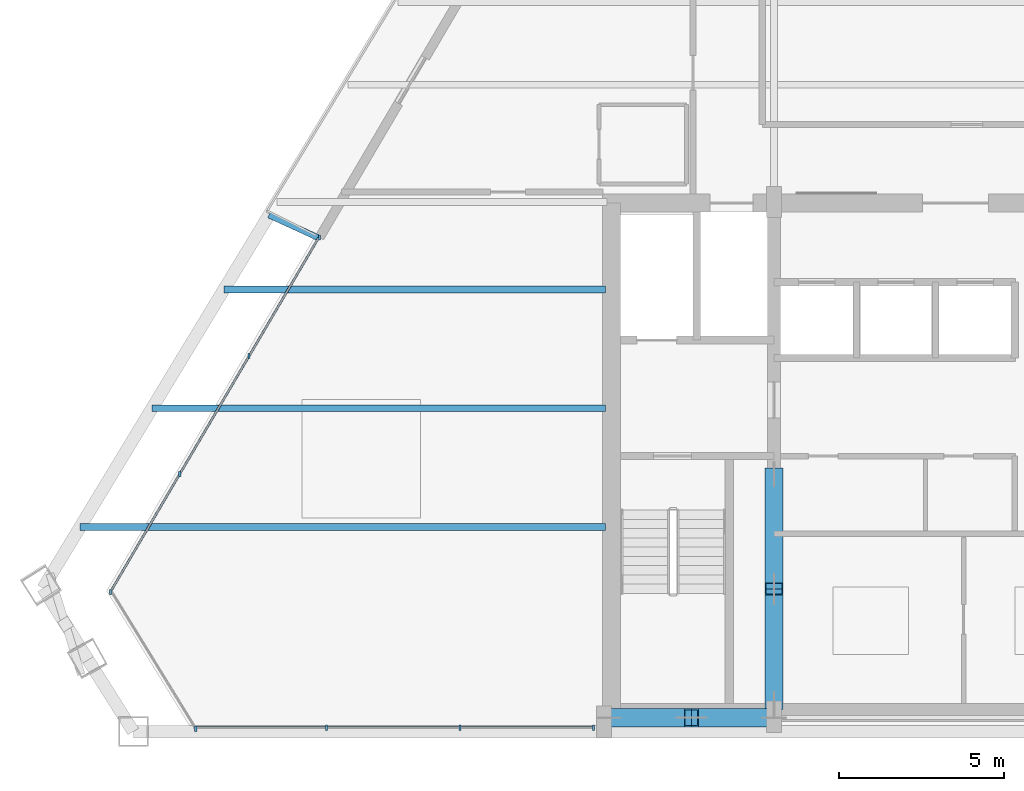
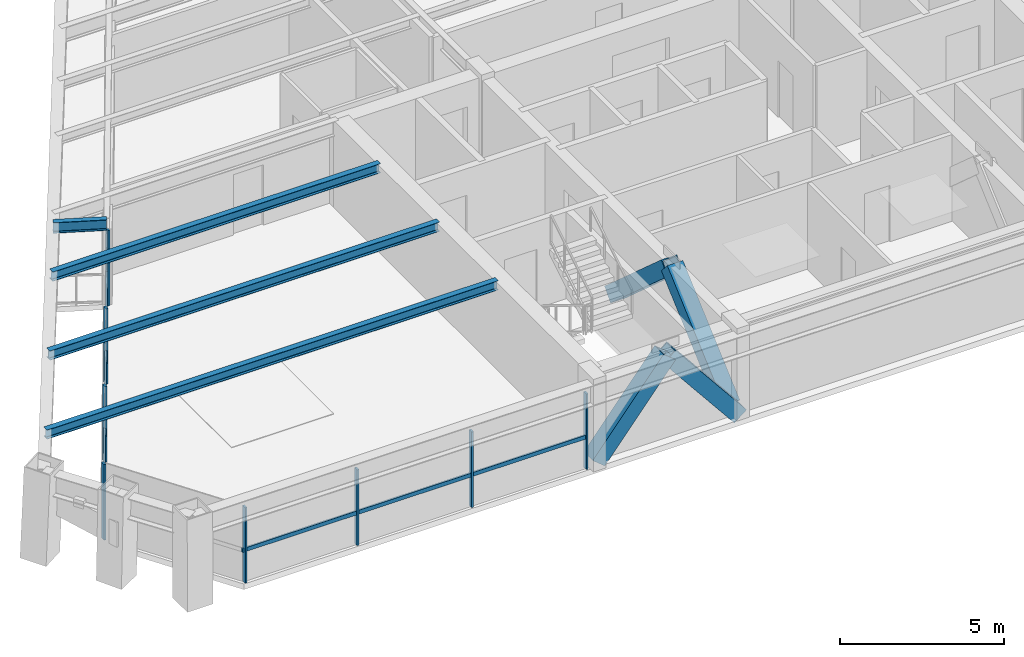
# One storey, part 2 of 13: 18 members, 4 beams, 3 elements without a shape of their own.
"""IFC4 building model written with IfcOpenShell, lengths in metres."""

from ifc_helpers import new_model, si_unit, direction, frame, origin, origin_2d, place, context, subcontext, project, spatial, rectangle, hollow_rectangle, i_section, extrude, source, transform, mapped, material, material_profile, profile_set, type_object, type_shapes, element, aggregate, save


model = new_model("IFC4")

# Units and contexts
model_context = context("Model", 3, precision=1e-05, world=origin(), true_north=direction((0.0, 1.0)))
body_context = subcontext(model_context, "Body", "Model", "MODEL_VIEW")
ifc_project = project(units=[si_unit("LENGTHUNIT", "METRE"), si_unit("AREAUNIT", "SQUARE_METRE"), si_unit("VOLUMEUNIT", "CUBIC_METRE"), si_unit("PLANEANGLEUNIT", "RADIAN"), si_unit("MASSUNIT", "GRAM", prefix="KILO")], contexts=[model_context])

# Site, building, storey
site_placement = place(None, origin())
site = spatial("IfcSite", under=ifc_project, at=site_placement, CompositionType="ELEMENT")
building_placement = place(site_placement, origin())
building = spatial("IfcBuilding", under=site, at=building_placement, Name="Varnakhor Terracotta Tower", CompositionType="ELEMENT")
storey_placement = place(building_placement, frame((0.0, 0.0, 244.14990234375)))
storey = spatial("IfcBuildingStorey", under=building, at=storey_placement, Name="L63", CompositionType="ELEMENT", Elevation=244.14990234375)

# Members
ifc_material_1 = material(Name="Steel S355", Category="steel")
ifc_material_profile_1 = material_profile(ifc_material_1, hollow_rectangle(XDim=0.550048828125, YDim=0.550048828125, WallThickness=0.034912109375, at=origin_2d()), Name="HSS550X550X35")
ifc_profile_set_1 = profile_set([ifc_material_profile_1], Name="Steel S355")
member_type_1 = type_object("IfcMemberType", Name="MBR-MEGA-550", PredefinedType="BRACE", material=ifc_profile_set_1)
shared_shape_1 = source(origin(), body_context, "Body", "SweptSolid", [
    extrude(hollow_rectangle(XDim=0.550048828125, YDim=0.550048828125, WallThickness=0.034912109375, at=origin_2d()), origin(), (0.0, 0.0, 1.0), 3.974853515625),
])
for number, where, z_axis, x_axis, name in (
    (1, (-10.5, 0.419921875, 0.0), (0.628970263838, 0.0, 0.777429358339), (0.0, 1.0, 0.0), "L63 Core Coupled Brace CSWA"),
    (2, (-5.5, 0.419921875, 0.0), (-0.628970263838, 0.0, 0.777429358339), (0.0, -1.0, 0.0), "L63 Core Coupled Brace CSWB"),
):
    element("IfcMember", number, at=place(storey_placement, frame(where, z_axis=z_axis, x_axis=x_axis)), inside=storey, type_object=member_type_1, Name=name, PredefinedType="BRACE", context=body_context, shape_type="MappedRepresentation", body=[
        mapped(shared_shape_1, transform((0.0, 0.0, 0.0), scale=1.0)),
    ])
shared_shape_2 = source(origin(), body_context, "Body", "SweptSolid", [
    extrude(hollow_rectangle(XDim=0.550048828125, YDim=0.550048828125, WallThickness=0.034912109375, at=origin_2d()), origin(), (0.0, 0.0, 1.0), 4.650146484375),
])
for number, where, z_axis, x_axis, name in (
    (3, (-5.5, 0.85009765625, 0.0), (0.0, 0.74726736397, 0.664523503532), (-1.0, 0.0, 0.0), "L63 Core Coupled Brace CWWA"),
    (4, (-5.5, 7.800048828125, 0.0), (0.0, -0.74729054724, 0.664497432655), (1.0, 0.0, 0.0), "L63 Core Coupled Brace CWWB"),
):
    element("IfcMember", number, at=place(storey_placement, frame(where, z_axis=z_axis, x_axis=x_axis)), inside=storey, type_object=member_type_1, Name=name, PredefinedType="BRACE", context=body_context, shape_type="MappedRepresentation", body=[
        mapped(shared_shape_2, transform((0.0, 0.0, 0.0), scale=1.0)),
    ])

# Beams
ifc_material_profile_2 = material_profile(ifc_material_1, i_section(OverallWidth=0.202880859375, OverallDepth=0.346923828125, WebThickness=0.0078125, FlangeThickness=0.013427734375, FilletRadius=0.01806640625, at=origin_2d()), Name="W14X43")
ifc_profile_set_2 = profile_set([ifc_material_profile_2], Name="Steel S355")
beam_type_1 = type_object("IfcBeamType", Name="JST-W14X43", PredefinedType="JOIST", material=ifc_profile_set_2)
shared_shape_3 = source(origin(), body_context, "Body", "SweptSolid", [
    extrude(i_section(OverallWidth=0.202880859375, OverallDepth=0.346923828125, WebThickness=0.0078125, FlangeThickness=0.013427734375, FilletRadius=0.01806640625, at=origin_2d()), origin(), (0.0, 0.0, 1.0), 15.9267578125),
])
beam_1_placement = place(storey_placement, frame((-26.52685546875, 6.199951171875, 3.066650390625), z_axis=(1.0, 0.0, 0.0), x_axis=(0.0, 1.0, 0.0)))
element("IfcBeam", 5, at=beam_1_placement, inside=storey, type_object=beam_type_1, Name="L63 Floor Joist W1", PredefinedType="JOIST", context=body_context, shape_type="MappedRepresentation", body=[
    mapped(shared_shape_3, transform((0.0, 0.0, 0.0), scale=1.0)),
])
shared_shape_4 = source(origin(), body_context, "Body", "SweptSolid", [
    extrude(i_section(OverallWidth=0.202880859375, OverallDepth=0.346923828125, WebThickness=0.0078125, FlangeThickness=0.013427734375, FilletRadius=0.01806640625, at=origin_2d()), origin(), (0.0, 0.0, 1.0), 13.74658203125),
])
beam_2_placement = place(storey_placement, frame((-24.3466796875, 9.800048828125, 3.066650390625), z_axis=(1.0, 0.0, 0.0), x_axis=(0.0, 1.0, 0.0)))
element("IfcBeam", 6, at=beam_2_placement, inside=storey, type_object=beam_type_1, Name="L63 Floor Joist W2", PredefinedType="JOIST", context=body_context, shape_type="MappedRepresentation", body=[
    mapped(shared_shape_4, transform((0.0, 0.0, 0.0), scale=1.0)),
])
shared_shape_5 = source(origin(), body_context, "Body", "SweptSolid", [
    extrude(i_section(OverallWidth=0.202880859375, OverallDepth=0.346923828125, WebThickness=0.0078125, FlangeThickness=0.013427734375, FilletRadius=0.01806640625, at=origin_2d()), origin(), (0.0, 0.0, 1.0), 11.56640625),
])
beam_3_placement = place(storey_placement, frame((-22.16650390625, 13.39990234375, 3.066650390625), z_axis=(1.0, 0.0, 0.0), x_axis=(0.0, 1.0, 0.0)))
element("IfcBeam", 7, at=beam_3_placement, inside=storey, type_object=beam_type_1, Name="L63 Floor Joist W3", PredefinedType="JOIST", context=body_context, shape_type="MappedRepresentation", body=[
    mapped(shared_shape_5, transform((0.0, 0.0, 0.0), scale=1.0)),
])

# Curtain wall, members
ifc_material_2 = material(Name="Anodised Aluminium Curtain Wall System", Category="aluminium")
curtain_wall_type = type_object("IfcCurtainWallType", Name="CW-SYS-HOTEL-LOGGIA", PredefinedType="NOTDEFINED", material=ifc_material_2)
curtain_wall_1_placement = place(storey_placement, origin())
curtain_wall_1 = element("IfcCurtainWall", 8, at=curtain_wall_1_placement, inside=storey, type_object=curtain_wall_type, Name="L63 W Facet Curtain Wall 1", PredefinedType="NOTDEFINED")
ifc_material_3 = material(Name="Anodised Aluminium 6063-T6", Category="aluminium")
ifc_material_profile_3 = material_profile(ifc_material_3, rectangle(XDim=0.06494140625, YDim=0.159912109375, at=origin_2d()), Name="ALU MULLION 65x160")
ifc_profile_set_3 = profile_set([ifc_material_profile_3], Name="Anodised Aluminium 6063-T6")
member_type_2 = type_object("IfcMemberType", Name="CWM-04", PredefinedType="MULLION", material=ifc_profile_set_3)
shared_shape_6 = source(origin(), body_context, "Body", "SweptSolid", [
    extrude(rectangle(XDim=0.06494140625, YDim=0.159912109375, at=origin_2d()), origin(), (0.0, 0.0, 1.0), 2.820068359375),
])
type_shapes(member_type_2, [shared_shape_6])
member_1_placement = place(storey_placement, frame((-25.60791015625, 4.229736328125, 0.0), z_axis=(0.0, 0.0, 1.0), x_axis=(1.0, 0.0, 0.0)))
member_1 = element("IfcMember", 9, at=member_1_placement, type_object=member_type_2, Name="L63 W Facet Curtain Wall 1 Mullion 1", PredefinedType="MULLION", context=body_context, shape_type="MappedRepresentation", body=[
    mapped(shared_shape_6, transform((0.0, 0.0, 0.0), scale=1.0)),
])
member_2_placement = place(storey_placement, frame((-23.50537109375, 7.806396484375, 0.0), z_axis=(0.0, 0.0, 1.0), x_axis=(1.0, 0.0, 0.0)))
member_2 = element("IfcMember", 10, at=member_2_placement, type_object=member_type_2, Name="L63 W Facet Curtain Wall 1 Mullion 2", PredefinedType="MULLION", context=body_context, shape_type="MappedRepresentation", body=[
    mapped(shared_shape_6, transform((0.0, 0.0, 0.0), scale=1.0)),
])
member_3_placement = place(storey_placement, frame((-21.40283203125, 11.383056640625, 0.0), z_axis=(0.0, 0.0, 1.0), x_axis=(1.0, 0.0, 0.0)))
member_3 = element("IfcMember", 11, at=member_3_placement, type_object=member_type_2, Name="L63 W Facet Curtain Wall 1 Mullion 3", PredefinedType="MULLION", context=body_context, shape_type="MappedRepresentation", body=[
    mapped(shared_shape_6, transform((0.0, 0.0, 0.0), scale=1.0)),
])
member_4_placement = place(storey_placement, frame((-19.267822265625, 14.9755859375, 0.0), z_axis=(0.0, 0.0, 1.0), x_axis=(1.0, 0.0, 0.0)))
member_4 = element("IfcMember", 12, at=member_4_placement, type_object=member_type_2, Name="L63 W Loggia Jamb Closure Mullion 1", PredefinedType="MULLION", context=body_context, shape_type="MappedRepresentation", body=[
    mapped(shared_shape_6, transform((0.0, 0.0, 0.0), scale=1.0)),
])

curtain_wall_2_placement = place(storey_placement, origin())
curtain_wall_2 = element("IfcCurtainWall", 13, at=curtain_wall_2_placement, inside=storey, type_object=curtain_wall_type, Name="L63 South Wing Curtain Wall SSW", PredefinedType="NOTDEFINED")
member_5_placement = place(storey_placement, frame((-10.969970703125, 0.1201171875, 0.0), z_axis=(0.0, 0.0, 1.0), x_axis=(1.0, 0.0, 0.0)))
member_5 = element("IfcMember", 14, at=member_5_placement, type_object=member_type_2, Name="L63 South Wing Curtain Wall SSW Mullion 1", PredefinedType="MULLION", context=body_context, shape_type="MappedRepresentation", body=[
    mapped(shared_shape_6, transform((0.0, 0.0, 0.0), scale=1.0)),
])
member_6_placement = place(storey_placement, frame((-15.011962890625, 0.1201171875, 0.0), z_axis=(0.0, 0.0, 1.0), x_axis=(1.0, 0.0, 0.0)))
member_6 = element("IfcMember", 15, at=member_6_placement, type_object=member_type_2, Name="L63 South Wing Curtain Wall SSW Mullion 2", PredefinedType="MULLION", context=body_context, shape_type="MappedRepresentation", body=[
    mapped(shared_shape_6, transform((0.0, 0.0, 0.0), scale=1.0)),
])
member_7_placement = place(storey_placement, frame((-19.053955078125, 0.1201171875, 0.0), z_axis=(0.0, 0.0, 1.0), x_axis=(1.0, 0.0, 0.0)))
member_7 = element("IfcMember", 16, at=member_7_placement, type_object=member_type_2, Name="L63 South Wing Curtain Wall SSW Mullion 3", PredefinedType="MULLION", context=body_context, shape_type="MappedRepresentation", body=[
    mapped(shared_shape_6, transform((0.0, 0.0, 0.0), scale=1.0)),
])

# Curtain wall, member
curtain_wall_3_placement = place(storey_placement, origin())
curtain_wall_3 = element("IfcCurtainWall", 17, at=curtain_wall_3_placement, inside=storey, type_object=curtain_wall_type, Name="L63 Facet Curtain Wall 6", PredefinedType="NOTDEFINED")
member_8_placement = place(storey_placement, frame((-23.019287109375, 0.08837890625, 0.0), z_axis=(0.0, 0.0, 1.0), x_axis=(1.0, 0.0, 0.0)))
member_8 = element("IfcMember", 18, at=member_8_placement, type_object=member_type_2, Name="L63 Facet Curtain Wall 6 Mullion 1", PredefinedType="MULLION", context=body_context, shape_type="MappedRepresentation", body=[
    mapped(shared_shape_6, transform((0.0, 0.0, 0.0), scale=1.0)),
])
aggregate(curtain_wall_3, [member_8])

# Member
ifc_material_profile_4 = material_profile(ifc_material_3, rectangle(XDim=0.06494140625, YDim=0.14501953125, at=origin_2d()), Name="ALU TRANSOM 65x145")
ifc_profile_set_4 = profile_set([ifc_material_profile_4], Name="Anodised Aluminium 6063-T6")
member_type_3 = type_object("IfcMemberType", Name="CWT-04", PredefinedType="USERDEFINED", material=ifc_profile_set_4)
shared_shape_7 = source(origin(), body_context, "Body", "SweptSolid", [
    extrude(rectangle(XDim=0.06494140625, YDim=0.14501953125, at=origin_2d()), origin(), (0.0, 0.0, 1.0), 4.0419921875),
])
member_9_placement = place(storey_placement, frame((-10.969970703125, 0.1201171875, 1.1845703125), z_axis=(-1.0, 0.0, 0.0), x_axis=(0.0, -1.0, 0.0)))
member_9 = element("IfcMember", 19, at=member_9_placement, type_object=member_type_3, Name="L63 South Wing Curtain Wall SSW Transom 1", ObjectType="TRANSOM", PredefinedType="USERDEFINED", context=body_context, shape_type="MappedRepresentation", body=[
    mapped(shared_shape_7, transform((0.0, 0.0, 0.0), scale=1.0)),
])

member_10_placement = place(storey_placement, frame((-15.011962890625, 0.1201171875, 1.1845703125), z_axis=(-1.0, 0.0, 0.0), x_axis=(0.0, -1.0, 0.0)))
member_10 = element("IfcMember", 20, at=member_10_placement, type_object=member_type_3, Name="L63 South Wing Curtain Wall SSW Transom 2", ObjectType="TRANSOM", PredefinedType="USERDEFINED", context=body_context, shape_type="MappedRepresentation", body=[
    mapped(shared_shape_7, transform((0.0, 0.0, 0.0), scale=1.0)),
])

shared_shape_8 = source(origin(), body_context, "Body", "SweptSolid", [
    extrude(rectangle(XDim=0.06494140625, YDim=0.14501953125, at=origin_2d()), origin(), (0.0, 0.0, 1.0), 4.041748046875),
])
member_11_placement = place(storey_placement, frame((-19.053955078125, 0.1201171875, 1.1845703125), z_axis=(-1.0, 0.0, 0.0), x_axis=(0.0, -1.0, 0.0)))
member_11 = element("IfcMember", 21, at=member_11_placement, type_object=member_type_3, Name="L63 South Wing Curtain Wall SSW Transom 3", ObjectType="TRANSOM", PredefinedType="USERDEFINED", context=body_context, shape_type="MappedRepresentation", body=[
    mapped(shared_shape_8, transform((0.0, 0.0, 0.0), scale=1.0)),
])

aggregate(curtain_wall_2, [member_5, member_9, member_6, member_10, member_7, member_11])

shared_shape_9 = source(origin(), body_context, "Body", "SweptSolid", [
    extrude(rectangle(XDim=0.06494140625, YDim=0.14501953125, at=origin_2d()), origin(), (0.0, 0.0, 1.0), 4.14892578125),
])
member_12_placement = place(storey_placement, frame((-25.60791015625, 4.229736328125, 1.1845703125), z_axis=(0.506773229013, 0.862079401422, 0.0), x_axis=(-0.862079401422, 0.506773229013, 0.0)))
member_12 = element("IfcMember", 22, at=member_12_placement, type_object=member_type_3, Name="L63 W Facet Curtain Wall 1 Transom 1", ObjectType="TRANSOM", PredefinedType="USERDEFINED", context=body_context, shape_type="MappedRepresentation", body=[
    mapped(shared_shape_9, transform((0.0, 0.0, 0.0), scale=1.0)),
])

member_13_placement = place(storey_placement, frame((-23.50537109375, 7.806396484375, 1.1845703125), z_axis=(0.506773229013, 0.862079401422, 0.0), x_axis=(-0.862079401422, 0.506773229013, 0.0)))
member_13 = element("IfcMember", 23, at=member_13_placement, type_object=member_type_3, Name="L63 W Facet Curtain Wall 1 Transom 2", ObjectType="TRANSOM", PredefinedType="USERDEFINED", context=body_context, shape_type="MappedRepresentation", body=[
    mapped(shared_shape_9, transform((0.0, 0.0, 0.0), scale=1.0)),
])

member_14_placement = place(storey_placement, frame((-21.40283203125, 11.383056640625, 1.1845703125), z_axis=(0.506773229013, 0.862079401422, 0.0), x_axis=(-0.862079401422, 0.506773229013, 0.0)))
member_14 = element("IfcMember", 24, at=member_14_placement, type_object=member_type_3, Name="L63 W Facet Curtain Wall 1 Transom 3", ObjectType="TRANSOM", PredefinedType="USERDEFINED", context=body_context, shape_type="MappedRepresentation", body=[
    mapped(shared_shape_9, transform((0.0, 0.0, 0.0), scale=1.0)),
])

aggregate(curtain_wall_1, [member_1, member_12, member_2, member_13, member_3, member_14, member_4])

# Beam
ifc_material_profile_5 = material_profile(ifc_material_1, i_section(OverallWidth=0.179931640625, OverallDepth=0.39990234375, WebThickness=0.008544921875, FlangeThickness=0.013427734375, FilletRadius=0.01806640625, at=origin_2d()), Name="IPE400")
ifc_profile_set_5 = profile_set([ifc_material_profile_5], Name="Steel S355")
beam_type_2 = type_object("IfcBeamType", Name="JST-IPE400", PredefinedType="JOIST", material=ifc_profile_set_5)
shared_shape_10 = source(origin(), body_context, "Body", "SweptSolid", [
    extrude(i_section(OverallWidth=0.179931640625, OverallDepth=0.39990234375, WebThickness=0.008544921875, FlangeThickness=0.013427734375, FilletRadius=0.01806640625, at=origin_2d()), origin(), (0.0, 0.0, 1.0), 1.64697265625),
])
beam_4_placement = place(storey_placement, frame((-19.30517578125, 14.9658203125, 3.0400390625), z_axis=(-0.90892441344, 0.416960922213, 0.0), x_axis=(-0.416960922213, -0.90892441344, 0.0)))
element("IfcBeam", 25, at=beam_4_placement, inside=storey, type_object=beam_type_2, Name="L64 W Loggia Tie Beam 1", PredefinedType="JOIST", context=body_context, shape_type="MappedRepresentation", body=[
    mapped(shared_shape_10, transform((0.0, 0.0, 0.0), scale=1.0)),
])

save(model, "model.ifc")
